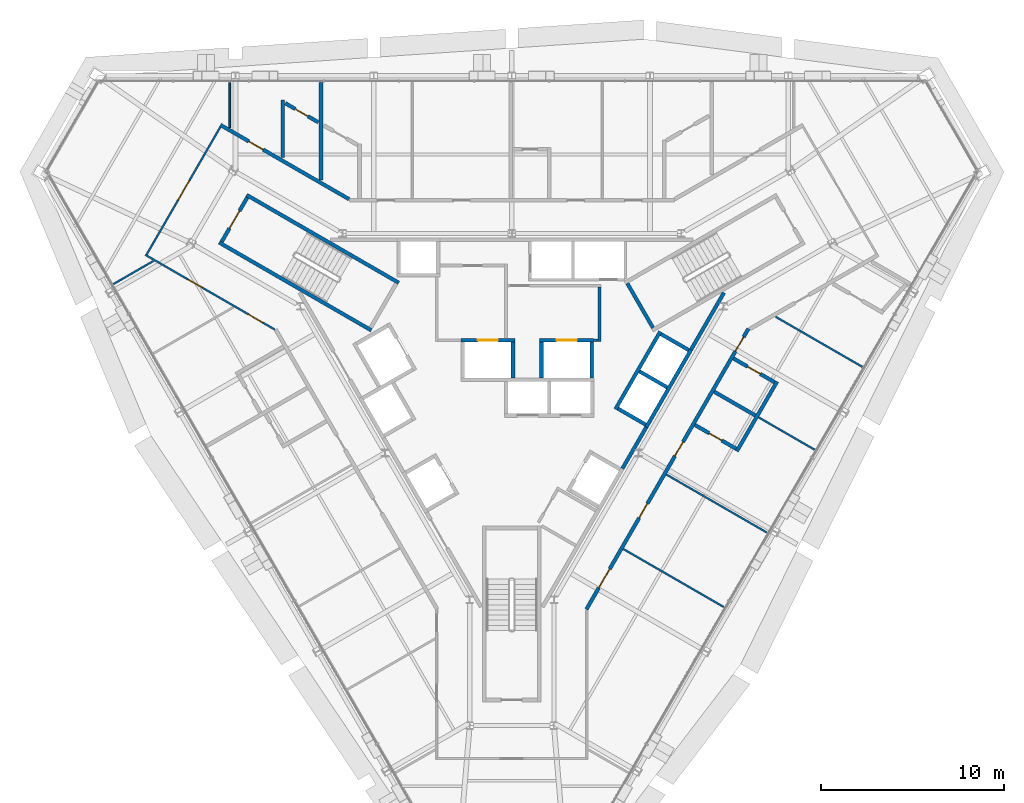
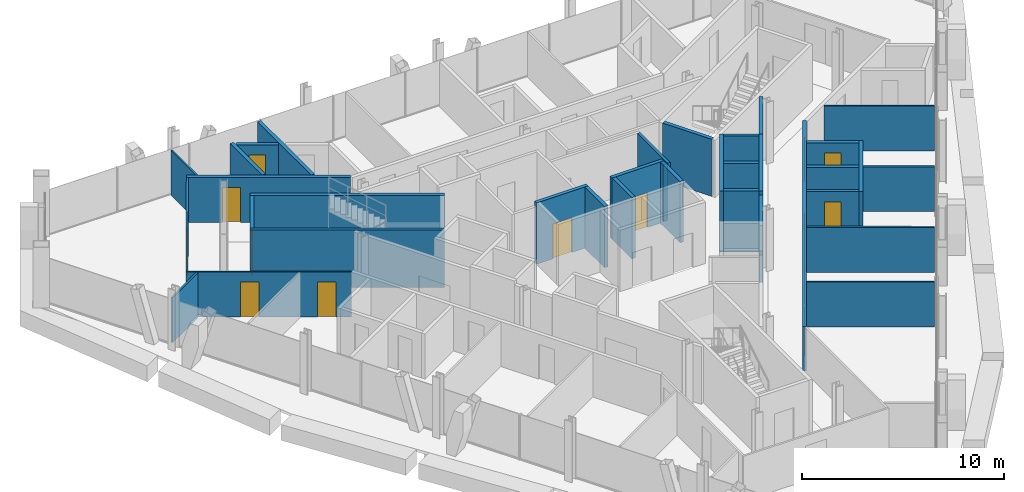
# One storey, part 10 of 13: 35 walls, 14 doors, 14 openings.
"""IFC4 building model written with IfcOpenShell, lengths in metres."""

from ifc_helpers import new_model, si_unit, direction, frame, frame_2d, origin, place, context, subcontext, project, spatial, rectangle, extrude, material, layer, layer_set, type_object, element, fill, save


model = new_model("IFC4")

# Units and contexts
model_context = context("Model", 3, precision=1e-05, world=origin(), true_north=direction((0.0, 1.0)))
body_context = subcontext(model_context, "Body", "Model", "MODEL_VIEW")
ifc_project = project(units=[si_unit("LENGTHUNIT", "METRE"), si_unit("AREAUNIT", "SQUARE_METRE"), si_unit("VOLUMEUNIT", "CUBIC_METRE"), si_unit("PLANEANGLEUNIT", "RADIAN"), si_unit("MASSUNIT", "GRAM", prefix="KILO")], contexts=[model_context])

# Site, building, storey
site_placement = place(None, origin())
site = spatial("IfcSite", under=ifc_project, at=site_placement, CompositionType="ELEMENT")
building_placement = place(site_placement, origin())
building = spatial("IfcBuilding", under=site, at=building_placement, Name="Verrane Prism Tower", CompositionType="ELEMENT")
storey_placement = place(building_placement, frame((0.0, 0.0, 152.5)))
storey = spatial("IfcBuildingStorey", under=building, at=storey_placement, Name="L37", CompositionType="ELEMENT", Elevation=152.5)

# Walls
ifc_material_1 = material(Name="Gypsum board partition", Category="other")
ifc_layer_1 = layer(ifc_material_1, 0.199951171875)
ifc_layer_set_1 = layer_set([ifc_layer_1], Name="CW-200 core boundary wall 2 h")
wall_type_1 = type_object("IfcWallType", Name="CW-200 core boundary wall 2 h", PredefinedType="PARTITIONING", material=ifc_layer_set_1)
wall_1_placement = place(storey_placement, frame((6.0419921875, -4.85498046875, 0.0), z_axis=(0.0, 0.0, 1.0), x_axis=(0.500252727967, 0.865879442048, 0.0)))
element("IfcWall", 1, at=wall_1_placement, inside=storey, type_object=wall_type_1, Name="Core boundary wall CW3-007", PredefinedType="PARTITIONING", context=body_context, shape_type="SweptSolid", body=[
    extrude(rectangle(XDim=2.616943359375, YDim=0.199951171875, at=frame_2d((1.30859375, 0.0))), origin(), (0.0, 0.0, 1.0), 3.449951171875),
])
wall_2_placement = place(storey_placement, frame((9.802978515625, 1.657958984375, 0.0), z_axis=(0.0, 0.0, 1.0), x_axis=(0.499943114462, 0.866058244174, 0.0)))
element("IfcWall", 2, at=wall_2_placement, inside=storey, type_object=wall_type_1, Name="Core boundary wall CW3-008", PredefinedType="PARTITIONING", context=body_context, shape_type="SweptSolid", body=[
    extrude(rectangle(XDim=3.57568359375, YDim=0.199951171875, at=frame_2d((1.787841796875, 0.0))), origin(), (0.0, 0.0, 1.0), 3.449951171875),
])
ifc_material_2 = material(Name="Concrete C40/50", Category="concrete")
ifc_layer_2 = layer(ifc_material_2, 0.199951171875)
ifc_layer_set_2 = layer_set([ifc_layer_2], Name="CW-200 stair core wall concrete C40/50 3 h")
wall_type_2 = type_object("IfcWallType", Name="CW-200 stair core wall concrete C40/50 3 h", PredefinedType="PARTITIONING", material=ifc_layer_set_2)
wall_3_placement = place(storey_placement, frame((7.71484375, 2.837646484375, 0.0), z_axis=(0.0, 0.0, 1.0), x_axis=(-0.500049511043, 0.865996816683, 0.0)))
element("IfcWall", 3, at=wall_3_placement, inside=storey, type_object=wall_type_2, Name="Stair 1 enclosure wall", PredefinedType="PARTITIONING", context=body_context, shape_type="SweptSolid", body=[
    extrude(rectangle(XDim=2.800048828125, YDim=0.199951171875, at=frame_2d((1.39990234375, 0.0))), origin(), (0.0, 0.0, 1.0), 3.449951171875),
])

# Wall, opening, door
wall_4_placement = place(storey_placement, frame((-14.455322265625, 9.96240234375, 0.0), z_axis=(0.0, 0.0, 1.0), x_axis=(-0.500049511043, -0.865996816683, 0.0)))
wall_4 = element("IfcWall", 4, at=wall_4_placement, inside=storey, type_object=wall_type_2, Name="Stair 2 enclosure wall", PredefinedType="PARTITIONING", context=body_context, shape_type="SweptSolid", body=[
    extrude(rectangle(XDim=2.800048828125, YDim=0.199951171875, at=frame_2d((1.39990234375, 0.0))), origin(), (0.0, 0.0, 1.0), 3.449951171875),
])
opening_1_placement = place(wall_4_placement, frame((0.849853515625, 0.0, 0.0)))
opening_1 = element("IfcOpeningElement", 5, at=opening_1_placement, cuts=wall_4, Name="Opening D36501", PredefinedType="OPENING", context=body_context, shape_type="SweptSolid", body=[
    extrude(rectangle(XDim=1.10009765625, YDim=2.10009765625, at=frame_2d((0.550048828125, 1.050048828125))), frame((0.0, 0.10986328125, 0.0), z_axis=(0.0, -1.0, 0.0), x_axis=(1.0, 0.0, 0.0)), (0.0, 0.0, 1.0), 0.219970703125),
])
ifc_material_3 = material(Name="Timber veneered door leaf", Category="wood")
door_type_1 = type_object("IfcDoorType", Name="DR-1100x2100 FD90 single leaf stair", OperationType="NOTDEFINED", PredefinedType="DOOR", material=ifc_material_3)
door_1_placement = place(opening_1_placement, origin())
door_1 = element("IfcDoor", 6, at=door_1_placement, inside=storey, type_object=door_type_1, Name="Stair 2 door", OperationType="SINGLE_SWING_RIGHT", OverallHeight=2.10009765625, OverallWidth=1.10009765625, PredefinedType="DOOR", context=body_context, shape_type="SweptSolid", body=[
    extrude(rectangle(XDim=1.10009765625, YDim=2.10009765625, at=frame_2d((0.550048828125, 1.050048828125))), frame((0.0, 0.02490234375, 0.0), z_axis=(0.0, -1.0, 0.0), x_axis=(1.0, 0.0, 0.0)), (0.0, 0.0, 1.0), 0.050048828125),
])
fill(opening_1, door_1)

# Walls
for number, where, z_axis, x_axis, name in (
    (7, (-7.67822265625, 2.700927734375, 0.0), (0.0, 0.0, 1.0), (-0.866019993635, 0.500009370536, 0.0), "Stair 2 enclosure wall"),
    (8, (-6.17822265625, 5.299072265625, 0.0), (0.0, 0.0, 1.0), (-0.866019993635, 0.500009370536, 0.0), "Stair 2 enclosure wall"),
):
    element("IfcWall", number, at=place(storey_placement, frame(where, z_axis=z_axis, x_axis=x_axis)), inside=storey, type_object=wall_type_2, Name=name, PredefinedType="PARTITIONING", context=body_context, shape_type="SweptSolid", body=[
        extrude(rectangle(XDim=9.599853515625, YDim=0.199951171875, at=frame_2d((4.7998046875, 0.0))), origin(), (0.0, 0.0, 1.0), 3.449951171875),
    ])

# Wall, opening, door
ifc_material_4 = material(Name="Gypsum board shaft wall assembly", Category="other")
ifc_layer_3 = layer(ifc_material_4, 0.199951171875)
ifc_layer_set_3 = layer_set([ifc_layer_3], Name="HW-200 lift shaft wall 2 h")
wall_type_3 = type_object("IfcWallType", Name="HW-200 lift shaft wall 2 h", PredefinedType="PARTITIONING", material=ifc_layer_set_3)
wall_5_placement = place(storey_placement, frame((-2.784912109375, 2.14990234375, 0.0), z_axis=(0.0, 0.0, 1.0), x_axis=(1.0, 0.0, 0.0)))
wall_5 = element("IfcWall", 9, at=wall_5_placement, inside=storey, type_object=wall_type_3, Name="Lift shaft wall", PredefinedType="PARTITIONING", context=body_context, shape_type="SweptSolid", body=[
    extrude(rectangle(XDim=2.949951171875, YDim=0.199951171875, at=frame_2d((1.47509765625, 0.0))), origin(), (0.0, 0.0, 1.0), 3.699951171875),
])
opening_2_placement = place(wall_5_placement, frame((0.925048828125, 0.0, 0.0)))
opening_2 = element("IfcOpeningElement", 10, at=opening_2_placement, cuts=wall_5, Name="Opening D36507", PredefinedType="OPENING", context=body_context, shape_type="SweptSolid", body=[
    extrude(rectangle(XDim=1.10009765625, YDim=2.10009765625, at=frame_2d((0.550048828125, 1.050048828125))), frame((0.0, 0.10986328125, 0.0), z_axis=(0.0, -1.0, 0.0), x_axis=(1.0, 0.0, 0.0)), (0.0, 0.0, 1.0), 0.219970703125),
])
ifc_material_5 = material(Name="Stainless steel sliding landing door", Category="steel")
door_type_2 = type_object("IfcDoorType", Name="LD-1100x2100 lift landing door FD90 sliding", OperationType="NOTDEFINED", PredefinedType="DOOR", material=ifc_material_5)
door_2_placement = place(opening_2_placement, origin())
door_2 = element("IfcDoor", 11, at=door_2_placement, inside=storey, type_object=door_type_2, Name="Fire service lift 1 landing door", OperationType="SLIDING_TO_LEFT", OverallHeight=2.10009765625, OverallWidth=1.10009765625, PredefinedType="DOOR", context=body_context, shape_type="SweptSolid", body=[
    extrude(rectangle(XDim=1.10009765625, YDim=2.10009765625, at=frame_2d((0.550048828125, 1.050048828125))), frame((0.0, 0.02490234375, 0.0), z_axis=(0.0, -1.0, 0.0), x_axis=(1.0, 0.0, 0.0)), (0.0, 0.0, 1.0), 0.050048828125),
])
fill(opening_2, door_2)

wall_6_placement = place(storey_placement, frame((1.52490234375, 2.14990234375, 0.0), z_axis=(0.0, 0.0, 1.0), x_axis=(1.0, 0.0, 0.0)))
wall_6 = element("IfcWall", 12, at=wall_6_placement, inside=storey, type_object=wall_type_3, Name="Lift shaft wall", PredefinedType="PARTITIONING", context=body_context, shape_type="SweptSolid", body=[
    extrude(rectangle(XDim=2.9501953125, YDim=0.199951171875, at=frame_2d((1.47509765625, 0.0))), origin(), (0.0, 0.0, 1.0), 3.699951171875),
])
opening_3_placement = place(wall_6_placement, frame((0.925048828125, 0.0, 0.0)))
opening_3 = element("IfcOpeningElement", 13, at=opening_3_placement, cuts=wall_6, Name="Opening D36508", PredefinedType="OPENING", context=body_context, shape_type="SweptSolid", body=[
    extrude(rectangle(XDim=1.10009765625, YDim=2.10009765625, at=frame_2d((0.550048828125, 1.050048828125))), frame((0.0, 0.10986328125, 0.0), z_axis=(0.0, -1.0, 0.0), x_axis=(1.0, 0.0, 0.0)), (0.0, 0.0, 1.0), 0.219970703125),
])
door_3_placement = place(opening_3_placement, origin())
door_3 = element("IfcDoor", 14, at=door_3_placement, inside=storey, type_object=door_type_2, Name="Fire service lift 2 landing door", OperationType="SLIDING_TO_RIGHT", OverallHeight=2.10009765625, OverallWidth=1.10009765625, PredefinedType="DOOR", context=body_context, shape_type="SweptSolid", body=[
    extrude(rectangle(XDim=1.10009765625, YDim=2.10009765625, at=frame_2d((0.550048828125, 1.050048828125))), frame((0.0, 0.02490234375, 0.0), z_axis=(0.0, -1.0, 0.0), x_axis=(1.0, 0.0, 0.0)), (0.0, 0.0, 1.0), 0.050048828125),
])
fill(opening_3, door_3)

# Walls
wall_7_placement = place(storey_placement, frame((7.351318359375, -2.587158203125, 0.0), z_axis=(0.0, 0.0, 1.0), x_axis=(0.500002801628, 0.866023786258, 0.0)))
element("IfcWall", 15, at=wall_7_placement, inside=storey, type_object=wall_type_3, Name="Lift shaft wall", PredefinedType="PARTITIONING", context=body_context, shape_type="SweptSolid", body=[
    extrude(rectangle(XDim=4.89990234375, YDim=0.199951171875, at=frame_2d((2.449951171875, 0.0))), origin(), (0.0, 0.0, 1.0), 3.699951171875),
])
wall_8_placement = place(storey_placement, frame((5.66259765625, -1.6123046875, 0.0), z_axis=(0.0, 0.0, 1.0), x_axis=(0.49998122708, 0.866036242063, 0.0)))
element("IfcWall", 16, at=wall_8_placement, inside=storey, type_object=wall_type_3, Name="Lift shaft wall", PredefinedType="PARTITIONING", context=body_context, shape_type="SweptSolid", body=[
    extrude(rectangle(XDim=4.900146484375, YDim=0.199951171875, at=frame_2d((2.4501953125, 0.0))), origin(), (0.0, 0.0, 1.0), 3.699951171875),
])
for number, where, z_axis, x_axis, name in (
    (17, (4.375, 0.10009765625, 0.0), (0.0, 0.0, 1.0), (0.0, 1.0, 0.0), "Lift shaft wall"),
    (18, (1.625, 0.10009765625, 0.0), (0.0, 0.0, 1.0), (0.0, 1.0, 0.0), "Lift shaft wall"),
    (19, (0.06494140625, 0.10009765625, 0.0), (0.0, 0.0, 1.0), (0.0, 1.0, 0.0), "Lift shaft wall"),
):
    element("IfcWall", number, at=place(storey_placement, frame(where, z_axis=z_axis, x_axis=x_axis)), inside=storey, type_object=wall_type_3, Name=name, PredefinedType="PARTITIONING", context=body_context, shape_type="SweptSolid", body=[
        extrude(rectangle(XDim=1.949951171875, YDim=0.199951171875, at=frame_2d((0.97509765625, 0.0))), origin(), (0.0, 0.0, 1.0), 3.699951171875),
    ])
wall_9_placement = place(storey_placement, frame((9.66455078125, 1.61962890625, 0.0), z_axis=(0.0, 0.0, 1.0), x_axis=(-0.866002029911, 0.500040482552, 0.0)))
element("IfcWall", 20, at=wall_9_placement, inside=storey, type_object=wall_type_3, Name="Lift shaft wall", PredefinedType="PARTITIONING", context=body_context, shape_type="SweptSolid", body=[
    extrude(rectangle(XDim=1.749755859375, YDim=0.199951171875, at=frame_2d((0.875, 0.0))), origin(), (0.0, 0.0, 1.0), 3.699951171875),
])
for number, where, z_axis, x_axis, name in (
    (21, (8.48974609375, -0.41552734375, 0.0), (0.0, 0.0, 1.0), (-0.866036909293, 0.499980071345, 0.0), "Lift shaft wall"),
    (22, (7.314697265625, -2.45068359375, 0.0), (0.0, 0.0, 1.0), (-0.866036909293, 0.499980071345, 0.0), "Lift shaft wall"),
):
    element("IfcWall", number, at=place(storey_placement, frame(where, z_axis=z_axis, x_axis=x_axis)), inside=storey, type_object=wall_type_3, Name=name, PredefinedType="PARTITIONING", context=body_context, shape_type="SweptSolid", body=[
        extrude(rectangle(XDim=1.75, YDim=0.199951171875, at=frame_2d((0.875, 0.0))), origin(), (0.0, 0.0, 1.0), 3.699951171875),
    ])
ifc_material_6 = material(Name="Gypsum board partition", Category="other")
ifc_layer_4 = layer(ifc_material_6, 0.14990234375)
ifc_layer_set_4 = layer_set([ifc_layer_4], Name="LF-150 firefighting lobby wall 1 h")
wall_type_4 = type_object("IfcWallType", Name="LF-150 firefighting lobby wall 1 h", PredefinedType="PARTITIONING", material=ifc_layer_set_4)
wall_10_placement = place(storey_placement, frame((4.47705078125, 2.159912109375, 0.0), z_axis=(0.0, 0.0, 1.0), x_axis=(1.0, 0.0, 0.0)))
element("IfcWall", 23, at=wall_10_placement, inside=storey, type_object=wall_type_4, Name="Firefighting lobby wall LF1-006", PredefinedType="PARTITIONING", context=body_context, shape_type="SweptSolid", body=[
    extrude(rectangle(XDim=0.238037109375, YDim=0.14990234375, at=frame_2d((0.119140625, 0.0))), origin(), (0.0, 0.0, 1.0), 3.449951171875),
])
wall_11_placement = place(storey_placement, frame((4.7900390625, 2.0849609375, 0.0), z_axis=(0.0, 0.0, 1.0), x_axis=(0.0, 1.0, 0.0)))
element("IfcWall", 24, at=wall_11_placement, inside=storey, type_object=wall_type_4, Name="Firefighting lobby wall LF1-007", PredefinedType="PARTITIONING", context=body_context, shape_type="SweptSolid", body=[
    extrude(rectangle(XDim=2.97998046875, YDim=0.14990234375, at=frame_2d((1.489990234375, 0.0))), origin(), (0.0, 0.0, 1.0), 3.449951171875),
])
ifc_material_7 = material(Name="Gypsum board partition", Category="other")
ifc_layer_5 = layer(ifc_material_7, 0.10009765625)
ifc_layer_set_5 = layer_set([ifc_layer_5], Name="PW-100 room partition")
wall_type_5 = type_object("IfcWallType", Name="PW-100 room partition", PredefinedType="PARTITIONING", material=ifc_layer_set_5)
wall_12_placement = place(storey_placement, frame((-21.7666015625, 5.22998046875, 0.0), z_axis=(0.0, 0.0, 1.0), x_axis=(0.865868809172, 0.50027113179, 0.0)))
element("IfcWall", 25, at=wall_12_placement, inside=storey, type_object=wall_type_5, Name="Room partition 001", PredefinedType="PARTITIONING", context=body_context, shape_type="SweptSolid", body=[
    extrude(rectangle(XDim=2.51611328125, YDim=0.10009765625, at=frame_2d((1.258056640625, 0.0))), origin(), (0.0, 0.0, 1.0), 2.712890625),
])

# Wall, opening, door
wall_13_placement = place(storey_placement, frame((-19.955078125, 6.84423828125, 0.0), z_axis=(0.0, 0.0, 1.0), x_axis=(0.500422653123, 0.865781247337, 0.0)))
wall_13 = element("IfcWall", 26, at=wall_13_placement, inside=storey, type_object=wall_type_5, Name="Room partition 002", PredefinedType="PARTITIONING", context=body_context, shape_type="SweptSolid", body=[
    extrude(rectangle(XDim=8.04736328125, YDim=0.10009765625, at=frame_2d((4.023681640625, 0.0))), origin(), (0.0, 0.0, 1.0), 2.712890625),
])
opening_4_placement = place(wall_13_placement, frame((3.449951171875, 0.0, 0.0)))
opening_4 = element("IfcOpeningElement", 27, at=opening_4_placement, cuts=wall_13, Name="Opening D36020", PredefinedType="OPENING", context=body_context, shape_type="SweptSolid", body=[
    extrude(rectangle(XDim=1.199951171875, YDim=2.10009765625, at=frame_2d((0.60009765625, 1.050048828125))), frame((0.0, 0.06005859375, 0.0), z_axis=(0.0, -1.0, 0.0), x_axis=(1.0, 0.0, 0.0)), (0.0, 0.0, 1.0), 0.1201171875),
])
ifc_material_8 = material(Name="Timber veneered door leaf", Category="wood")
door_type_3 = type_object("IfcDoorType", Name="DR-1200x2100 single leaf unit", OperationType="NOTDEFINED", PredefinedType="DOOR", material=ifc_material_8)
door_4_placement = place(opening_4_placement, origin())
door_4 = element("IfcDoor", 28, at=door_4_placement, inside=storey, type_object=door_type_3, Name="Living And Dining Room door", OperationType="SINGLE_SWING_RIGHT", OverallHeight=2.10009765625, OverallWidth=1.199951171875, PredefinedType="DOOR", context=body_context, shape_type="SweptSolid", body=[
    extrude(rectangle(XDim=1.199951171875, YDim=2.10009765625, at=frame_2d((0.60009765625, 1.050048828125))), frame((0.0, 0.02490234375, 0.0), z_axis=(0.0, -1.0, 0.0), x_axis=(1.0, 0.0, 0.0)), (0.0, 0.0, 1.0), 0.050048828125),
])
fill(opening_4, door_4)

# Wall, openings, doors
wall_14_placement = place(storey_placement, frame((-12.95166015625, 2.744384765625, 0.0), z_axis=(0.0, 0.0, 1.0), x_axis=(-0.86608949446, 0.499888975259, 0.0)))
wall_14 = element("IfcWall", 29, at=wall_14_placement, inside=storey, type_object=wall_type_5, Name="Room partition 003", PredefinedType="PARTITIONING", context=body_context, shape_type="SweptSolid", body=[
    extrude(rectangle(XDim=8.164794921875, YDim=0.10009765625, at=frame_2d((4.08251953125, 0.0))), origin(), (0.0, 0.0, 1.0), 2.712890625),
])
opening_5_placement = place(wall_14_placement, frame((4.575927734375, 0.0, 0.0)))
opening_5 = element("IfcOpeningElement", 30, at=opening_5_placement, cuts=wall_14, Name="Opening D36021", PredefinedType="OPENING", context=body_context, shape_type="SweptSolid", body=[
    extrude(rectangle(XDim=0.89990234375, YDim=2.10009765625, at=frame_2d((0.449951171875, 1.050048828125))), frame((0.0, 0.06005859375, 0.0), z_axis=(0.0, -1.0, 0.0), x_axis=(1.0, 0.0, 0.0)), (0.0, 0.0, 1.0), 0.1201171875),
])
opening_6_placement = place(wall_14_placement, frame((0.77197265625, 0.0, 0.0)))
opening_6 = element("IfcOpeningElement", 31, at=opening_6_placement, cuts=wall_14, Name="Opening D36022", PredefinedType="OPENING", context=body_context, shape_type="SweptSolid", body=[
    extrude(rectangle(XDim=0.89990234375, YDim=2.10009765625, at=frame_2d((0.449951171875, 1.050048828125))), frame((0.0, 0.06005859375, 0.0), z_axis=(0.0, -1.0, 0.0), x_axis=(1.0, 0.0, 0.0)), (0.0, 0.0, 1.0), 0.1201171875),
])
ifc_material_9 = material(Name="Timber veneered door leaf", Category="wood")
door_type_4 = type_object("IfcDoorType", Name="DR-900x2100 single leaf inner", OperationType="NOTDEFINED", PredefinedType="DOOR", material=ifc_material_9)
door_5_placement = place(opening_6_placement, origin())
door_5 = element("IfcDoor", 32, at=door_5_placement, inside=storey, type_object=door_type_4, Name="Master Bedroom door", OperationType="SINGLE_SWING_LEFT", OverallHeight=2.10009765625, OverallWidth=0.89990234375, PredefinedType="DOOR", context=body_context, shape_type="SweptSolid", body=[
    extrude(rectangle(XDim=0.89990234375, YDim=2.10009765625, at=frame_2d((0.449951171875, 1.050048828125))), frame((0.0, 0.02490234375, 0.0), z_axis=(0.0, -1.0, 0.0), x_axis=(1.0, 0.0, 0.0)), (0.0, 0.0, 1.0), 0.050048828125),
])
fill(opening_6, door_5)
ifc_material_10 = material(Name="Timber veneered door leaf", Category="wood")
door_type_5 = type_object("IfcDoorType", Name="DR-900x2100 single leaf unit", OperationType="NOTDEFINED", PredefinedType="DOOR", material=ifc_material_10)
door_6_placement = place(opening_5_placement, origin())
door_6 = element("IfcDoor", 33, at=door_6_placement, inside=storey, type_object=door_type_5, Name="Kitchen door", OperationType="SINGLE_SWING_RIGHT", OverallHeight=2.10009765625, OverallWidth=0.89990234375, PredefinedType="DOOR", context=body_context, shape_type="SweptSolid", body=[
    extrude(rectangle(XDim=0.89990234375, YDim=2.10009765625, at=frame_2d((0.449951171875, 1.050048828125))), frame((0.0, 0.02490234375, 0.0), z_axis=(0.0, -1.0, 0.0), x_axis=(1.0, 0.0, 0.0)), (0.0, 0.0, 1.0), 0.050048828125),
])
fill(opening_5, door_6)

# Walls
wall_15_placement = place(storey_placement, frame((-15.4130859375, 13.7744140625, 0.0), z_axis=(0.0, 0.0, 1.0), x_axis=(0.0, 1.0, 0.0)))
element("IfcWall", 34, at=wall_15_placement, inside=storey, type_object=wall_type_5, Name="Room partition 007", PredefinedType="PARTITIONING", context=body_context, shape_type="SweptSolid", body=[
    extrude(rectangle(XDim=2.460693359375, YDim=0.10009765625, at=frame_2d((1.23046875, 0.0))), origin(), (0.0, 0.0, 1.0), 2.712890625),
])
for number, where, z_axis, x_axis, name in (
    (35, (6.093505859375, -9.2490234375, 0.0), (0.0, 0.0, 1.0), (0.866030886774, -0.499990503064, 0.0), "Room partition 033"),
    (36, (8.444580078125, -5.177001953125, 0.0), (0.0, 0.0, 1.0), (0.866004557827, -0.500036104519, 0.0), "Room partition 036"),
):
    element("IfcWall", number, at=place(storey_placement, frame(where, z_axis=z_axis, x_axis=x_axis)), inside=storey, type_object=wall_type_5, Name=name, PredefinedType="PARTITIONING", context=body_context, shape_type="SweptSolid", body=[
        extrude(rectangle(XDim=6.33349609375, YDim=0.10009765625, at=frame_2d((3.166748046875, 0.0))), origin(), (0.0, 0.0, 1.0), 2.712890625),
    ])
wall_16_placement = place(storey_placement, frame((13.481689453125, -2.052001953125, 0.0), z_axis=(0.0, 0.0, 1.0), x_axis=(0.865998048674, -0.500047377448, 0.0)))
element("IfcWall", 37, at=wall_16_placement, inside=storey, type_object=wall_type_5, Name="Room partition 044", PredefinedType="PARTITIONING", context=body_context, shape_type="SweptSolid", body=[
    extrude(rectangle(XDim=3.533935546875, YDim=0.10009765625, at=frame_2d((1.76708984375, 0.0))), origin(), (0.0, 0.0, 1.0), 2.712890625),
])
wall_17_placement = place(storey_placement, frame((14.412109375, 3.44384765625, 0.0), z_axis=(0.0, 0.0, 1.0), x_axis=(0.866045268016, -0.499965592563, 0.0)))
element("IfcWall", 38, at=wall_17_placement, inside=storey, type_object=wall_type_5, Name="Room partition 045", PredefinedType="PARTITIONING", context=body_context, shape_type="SweptSolid", body=[
    extrude(rectangle(XDim=5.47607421875, YDim=0.10009765625, at=frame_2d((2.738037109375, 0.0))), origin(), (0.0, 0.0, 1.0), 2.712890625),
])

# Wall, opening, door
ifc_material_11 = material(Name="Gypsum board partition", Category="other")
ifc_layer_6 = layer(ifc_material_11, 0.199951171875)
ifc_layer_set_6 = layer_set([ifc_layer_6], Name="PW-200 plumbing wall")
wall_type_6 = type_object("IfcWallType", Name="PW-200 plumbing wall", PredefinedType="PARTITIONING", material=ifc_layer_set_6)
wall_18_placement = place(storey_placement, frame((-15.92138671875, 13.923095703125, 0.0), z_axis=(0.0, 0.0, 1.0), x_axis=(0.866079355551, -0.499906541154, 0.0)))
wall_18 = element("IfcWall", 39, at=wall_18_placement, inside=storey, type_object=wall_type_6, Name="Plumbing wall 006", PredefinedType="PARTITIONING", context=body_context, shape_type="SweptSolid", body=[
    extrude(rectangle(XDim=8.11279296875, YDim=0.199951171875, at=frame_2d((4.056396484375, 0.0))), origin(), (0.0, 0.0, 1.0), 2.712890625),
])
opening_7_placement = place(wall_18_placement, frame((1.787109375, 0.0, 0.0)))
opening_7 = element("IfcOpeningElement", 40, at=opening_7_placement, cuts=wall_18, Name="Opening D36018", PredefinedType="OPENING", context=body_context, shape_type="SweptSolid", body=[
    extrude(rectangle(XDim=0.89990234375, YDim=2.10009765625, at=frame_2d((0.449951171875, 1.050048828125))), frame((0.0, 0.10986328125, 0.0), z_axis=(0.0, -1.0, 0.0), x_axis=(1.0, 0.0, 0.0)), (0.0, 0.0, 1.0), 0.219970703125),
])
door_7_placement = place(opening_7_placement, origin())
door_7 = element("IfcDoor", 41, at=door_7_placement, inside=storey, type_object=door_type_4, Name="Bedroom door", OperationType="SINGLE_SWING_RIGHT", OverallHeight=2.10009765625, OverallWidth=0.89990234375, PredefinedType="DOOR", context=body_context, shape_type="SweptSolid", body=[
    extrude(rectangle(XDim=0.89990234375, YDim=2.10009765625, at=frame_2d((0.449951171875, 1.050048828125))), frame((0.0, 0.02490234375, 0.0), z_axis=(0.0, -1.0, 0.0), x_axis=(1.0, 0.0, 0.0)), (0.0, 0.0, 1.0), 0.050048828125),
])
fill(opening_7, door_7)

# Wall
wall_19_placement = place(storey_placement, frame((-12.52490234375, 12.13623046875, 0.0), z_axis=(0.0, 0.0, 1.0), x_axis=(0.0, 1.0, 0.0)))
element("IfcWall", 42, at=wall_19_placement, inside=storey, type_object=wall_type_6, Name="Plumbing wall 013", PredefinedType="PARTITIONING", context=body_context, shape_type="SweptSolid", body=[
    extrude(rectangle(XDim=3.15966796875, YDim=0.199951171875, at=frame_2d((1.579833984375, 0.0))), origin(), (0.0, 0.0, 1.0), 2.712890625),
])

# Wall, opening, door
wall_20_placement = place(storey_placement, frame((-10.574951171875, 14.070556640625, 0.0), z_axis=(0.0, 0.0, 1.0), x_axis=(-0.866084027935, 0.499898446243, 0.0)))
wall_20 = element("IfcWall", 43, at=wall_20_placement, inside=storey, type_object=wall_type_6, Name="Plumbing wall 014", PredefinedType="PARTITIONING", context=body_context, shape_type="SweptSolid", body=[
    extrude(rectangle(XDim=2.08154296875, YDim=0.199951171875, at=frame_2d((1.040771484375, 0.0))), origin(), (0.0, 0.0, 1.0), 2.712890625),
])
opening_8_placement = place(wall_20_placement, frame((0.6513671875, 0.0, 0.0)))
opening_8 = element("IfcOpeningElement", 44, at=opening_8_placement, cuts=wall_20, Name="Opening D36019", PredefinedType="OPENING", context=body_context, shape_type="SweptSolid", body=[
    extrude(rectangle(XDim=0.800048828125, YDim=2.10009765625, at=frame_2d((0.39990234375, 1.050048828125))), frame((0.0, 0.10986328125, 0.0), z_axis=(0.0, -1.0, 0.0), x_axis=(1.0, 0.0, 0.0)), (0.0, 0.0, 1.0), 0.219970703125),
])
ifc_material_12 = material(Name="Timber veneered door leaf", Category="wood")
door_type_6 = type_object("IfcDoorType", Name="DR-800x2100 single leaf bath", OperationType="NOTDEFINED", PredefinedType="DOOR", material=ifc_material_12)
door_8_placement = place(opening_8_placement, origin())
door_8 = element("IfcDoor", 45, at=door_8_placement, inside=storey, type_object=door_type_6, Name="Bathroom door", OperationType="SINGLE_SWING_RIGHT", OverallHeight=2.10009765625, OverallWidth=0.800048828125, PredefinedType="DOOR", context=body_context, shape_type="SweptSolid", body=[
    extrude(rectangle(XDim=0.800048828125, YDim=2.10009765625, at=frame_2d((0.39990234375, 1.050048828125))), frame((0.0, 0.02490234375, 0.0), z_axis=(0.0, -1.0, 0.0), x_axis=(1.0, 0.0, 0.0)), (0.0, 0.0, 1.0), 0.050048828125),
])
fill(opening_8, door_8)

# Wall
wall_21_placement = place(storey_placement, frame((-10.425048828125, 10.924072265625, 0.0), z_axis=(0.0, 0.0, 1.0), x_axis=(0.0, 1.0, 0.0)))
element("IfcWall", 46, at=wall_21_placement, inside=storey, type_object=wall_type_6, Name="Plumbing wall 017", PredefinedType="PARTITIONING", context=body_context, shape_type="SweptSolid", body=[
    extrude(rectangle(XDim=5.31103515625, YDim=0.199951171875, at=frame_2d((2.655517578125, 0.0))), origin(), (0.0, 0.0, 1.0), 2.712890625),
])

# Wall, openings, doors
wall_22_placement = place(storey_placement, frame((12.927978515625, 2.78857421875, 0.0), z_axis=(0.0, 0.0, 1.0), x_axis=(-0.499997769292, -0.86602669168, 0.0)))
wall_22 = element("IfcWall", 47, at=wall_22_placement, inside=storey, type_object=wall_type_6, Name="Plumbing wall 031", PredefinedType="PARTITIONING", context=body_context, shape_type="SweptSolid", body=[
    extrude(rectangle(XDim=17.7060546875, YDim=0.199951171875, at=frame_2d((8.85302734375, 0.0))), origin(), (0.0, 0.0, 1.0), 2.712890625),
])
opening_9_placement = place(wall_22_placement, frame((15.156005859375, 0.0, 0.0)))
opening_9 = element("IfcOpeningElement", 48, at=opening_9_placement, cuts=wall_22, Name="Opening D36001", PredefinedType="OPENING", context=body_context, shape_type="SweptSolid", body=[
    extrude(rectangle(XDim=1.199951171875, YDim=2.10009765625, at=frame_2d((0.60009765625, 1.050048828125))), frame((0.0, 0.10986328125, 0.0), z_axis=(0.0, -1.0, 0.0), x_axis=(1.0, 0.0, 0.0)), (0.0, 0.0, 1.0), 0.219970703125),
])
opening_10_placement = place(wall_22_placement, frame((11.0419921875, 0.0, 0.0)))
opening_10 = element("IfcOpeningElement", 49, at=opening_10_placement, cuts=wall_22, Name="Opening D36002", PredefinedType="OPENING", context=body_context, shape_type="SweptSolid", body=[
    extrude(rectangle(XDim=0.89990234375, YDim=2.10009765625, at=frame_2d((0.449951171875, 1.050048828125))), frame((0.0, 0.10986328125, 0.0), z_axis=(0.0, -1.0, 0.0), x_axis=(1.0, 0.0, 0.0)), (0.0, 0.0, 1.0), 0.219970703125),
])
opening_11_placement = place(wall_22_placement, frame((7.14013671875, 0.0, 0.0)))
opening_11 = element("IfcOpeningElement", 50, at=opening_11_placement, cuts=wall_22, Name="Opening D36003", PredefinedType="OPENING", context=body_context, shape_type="SweptSolid", body=[
    extrude(rectangle(XDim=0.89990234375, YDim=2.10009765625, at=frame_2d((0.449951171875, 1.050048828125))), frame((0.0, 0.10986328125, 0.0), z_axis=(0.0, -1.0, 0.0), x_axis=(1.0, 0.0, 0.0)), (0.0, 0.0, 1.0), 0.219970703125),
])
opening_12_placement = place(wall_22_placement, frame((0.51513671875, 0.0, 0.0)))
opening_12 = element("IfcOpeningElement", 51, at=opening_12_placement, cuts=wall_22, Name="Opening D36005", PredefinedType="OPENING", context=body_context, shape_type="SweptSolid", body=[
    extrude(rectangle(XDim=0.89990234375, YDim=2.10009765625, at=frame_2d((0.449951171875, 1.050048828125))), frame((0.0, 0.10986328125, 0.0), z_axis=(0.0, -1.0, 0.0), x_axis=(1.0, 0.0, 0.0)), (0.0, 0.0, 1.0), 0.219970703125),
])
door_9_placement = place(opening_9_placement, origin())
door_9 = element("IfcDoor", 52, at=door_9_placement, inside=storey, type_object=door_type_3, Name="Living And Dining Room door", OperationType="SINGLE_SWING_RIGHT", OverallHeight=2.10009765625, OverallWidth=1.199951171875, PredefinedType="DOOR", context=body_context, shape_type="SweptSolid", body=[
    extrude(rectangle(XDim=1.199951171875, YDim=2.10009765625, at=frame_2d((0.60009765625, 1.050048828125))), frame((0.0, 0.02490234375, 0.0), z_axis=(0.0, -1.0, 0.0), x_axis=(1.0, 0.0, 0.0)), (0.0, 0.0, 1.0), 0.050048828125),
])
fill(opening_9, door_9)
door_10_placement = place(opening_11_placement, origin())
door_10 = element("IfcDoor", 53, at=door_10_placement, inside=storey, type_object=door_type_4, Name="Bedroom door", OperationType="SINGLE_SWING_RIGHT", OverallHeight=2.10009765625, OverallWidth=0.89990234375, PredefinedType="DOOR", context=body_context, shape_type="SweptSolid", body=[
    extrude(rectangle(XDim=0.89990234375, YDim=2.10009765625, at=frame_2d((0.449951171875, 1.050048828125))), frame((0.0, 0.02490234375, 0.0), z_axis=(0.0, -1.0, 0.0), x_axis=(1.0, 0.0, 0.0)), (0.0, 0.0, 1.0), 0.050048828125),
])
fill(opening_11, door_10)
door_11_placement = place(opening_12_placement, origin())
door_11 = element("IfcDoor", 54, at=door_11_placement, inside=storey, type_object=door_type_4, Name="Bedroom door", OperationType="SINGLE_SWING_RIGHT", OverallHeight=2.10009765625, OverallWidth=0.89990234375, PredefinedType="DOOR", context=body_context, shape_type="SweptSolid", body=[
    extrude(rectangle(XDim=0.89990234375, YDim=2.10009765625, at=frame_2d((0.449951171875, 1.050048828125))), frame((0.0, 0.02490234375, 0.0), z_axis=(0.0, -1.0, 0.0), x_axis=(1.0, 0.0, 0.0)), (0.0, 0.0, 1.0), 0.050048828125),
])
fill(opening_12, door_11)
door_12_placement = place(opening_10_placement, origin())
door_12 = element("IfcDoor", 55, at=door_12_placement, inside=storey, type_object=door_type_5, Name="Kitchen door", OperationType="SINGLE_SWING_LEFT", OverallHeight=2.10009765625, OverallWidth=0.89990234375, PredefinedType="DOOR", context=body_context, shape_type="SweptSolid", body=[
    extrude(rectangle(XDim=0.89990234375, YDim=2.10009765625, at=frame_2d((0.449951171875, 1.050048828125))), frame((0.0, 0.02490234375, 0.0), z_axis=(0.0, -1.0, 0.0), x_axis=(1.0, 0.0, 0.0)), (0.0, 0.0, 1.0), 0.050048828125),
])
fill(opening_10, door_12)

# Wall, opening, door
wall_23_placement = place(storey_placement, frame((10.010986328125, -2.473388671875, 0.0), z_axis=(0.0, 0.0, 1.0), x_axis=(0.866005410122, -0.500034628441, 0.0)))
wall_23 = element("IfcWall", 56, at=wall_23_placement, inside=storey, type_object=wall_type_6, Name="Plumbing wall 038", PredefinedType="PARTITIONING", context=body_context, shape_type="SweptSolid", body=[
    extrude(rectangle(XDim=2.594970703125, YDim=0.199951171875, at=frame_2d((1.29736328125, 0.0))), origin(), (0.0, 0.0, 1.0), 2.712890625),
])
opening_13_placement = place(wall_23_placement, frame((0.89501953125, 0.0, 0.0)))
opening_13 = element("IfcOpeningElement", 57, at=opening_13_placement, cuts=wall_23, Name="Opening D36004", PredefinedType="OPENING", context=body_context, shape_type="SweptSolid", body=[
    extrude(rectangle(XDim=0.800048828125, YDim=2.10009765625, at=frame_2d((0.39990234375, 1.050048828125))), frame((0.0, 0.10986328125, 0.0), z_axis=(0.0, -1.0, 0.0), x_axis=(1.0, 0.0, 0.0)), (0.0, 0.0, 1.0), 0.219970703125),
])
door_13_placement = place(opening_13_placement, origin())
door_13 = element("IfcDoor", 58, at=door_13_placement, inside=storey, type_object=door_type_6, Name="Bathroom door", OperationType="SINGLE_SWING_RIGHT", OverallHeight=2.10009765625, OverallWidth=0.800048828125, PredefinedType="DOOR", context=body_context, shape_type="SweptSolid", body=[
    extrude(rectangle(XDim=0.800048828125, YDim=2.10009765625, at=frame_2d((0.39990234375, 1.050048828125))), frame((0.0, 0.02490234375, 0.0), z_axis=(0.0, -1.0, 0.0), x_axis=(1.0, 0.0, 0.0)), (0.0, 0.0, 1.0), 0.050048828125),
])
fill(opening_13, door_13)

# Wall
wall_24_placement = place(storey_placement, frame((11.06103515625, -0.654541015625, 0.0), z_axis=(0.0, 0.0, 1.0), x_axis=(0.866046148833, -0.4999640668, 0.0)))
element("IfcWall", 59, at=wall_24_placement, inside=storey, type_object=wall_type_6, Name="Plumbing wall 040", PredefinedType="PARTITIONING", context=body_context, shape_type="SweptSolid", body=[
    extrude(rectangle(XDim=2.594970703125, YDim=0.199951171875, at=frame_2d((1.29736328125, 0.0))), origin(), (0.0, 0.0, 1.0), 2.712890625),
])

# Wall, opening, door
wall_25_placement = place(storey_placement, frame((14.3583984375, -0.133056640625, 0.0), z_axis=(0.0, 0.0, 1.0), x_axis=(-0.866028930478, 0.499993891537, 0.0)))
wall_25 = element("IfcWall", 60, at=wall_25_placement, inside=storey, type_object=wall_type_6, Name="Plumbing wall 041", PredefinedType="PARTITIONING", context=body_context, shape_type="SweptSolid", body=[
    extrude(rectangle(XDim=2.59521484375, YDim=0.199951171875, at=frame_2d((1.297607421875, 0.0))), origin(), (0.0, 0.0, 1.0), 2.712890625),
])
opening_14_placement = place(wall_25_placement, frame((0.900146484375, 0.0, 0.0)))
opening_14 = element("IfcOpeningElement", 61, at=opening_14_placement, cuts=wall_25, Name="Opening D36006", PredefinedType="OPENING", context=body_context, shape_type="SweptSolid", body=[
    extrude(rectangle(XDim=0.800048828125, YDim=2.10009765625, at=frame_2d((0.39990234375, 1.050048828125))), frame((0.0, 0.10986328125, 0.0), z_axis=(0.0, -1.0, 0.0), x_axis=(1.0, 0.0, 0.0)), (0.0, 0.0, 1.0), 0.219970703125),
])
door_14_placement = place(opening_14_placement, origin())
door_14 = element("IfcDoor", 62, at=door_14_placement, inside=storey, type_object=door_type_6, Name="Bathroom door", OperationType="SINGLE_SWING_LEFT", OverallHeight=2.10009765625, OverallWidth=0.800048828125, PredefinedType="DOOR", context=body_context, shape_type="SweptSolid", body=[
    extrude(rectangle(XDim=0.800048828125, YDim=2.10009765625, at=frame_2d((0.39990234375, 1.050048828125))), frame((0.0, 0.02490234375, 0.0), z_axis=(0.0, -1.0, 0.0), x_axis=(1.0, 0.0, 0.0)), (0.0, 0.0, 1.0), 0.050048828125),
])
fill(opening_14, door_14)

# Wall
wall_26_placement = place(storey_placement, frame((12.294921875, -3.90771484375, 0.0), z_axis=(0.0, 0.0, 1.0), x_axis=(0.499916153699, 0.866073807057, 0.0)))
element("IfcWall", 63, at=wall_26_placement, inside=storey, type_object=wall_type_6, Name="Plumbing wall 042", PredefinedType="PARTITIONING", context=body_context, shape_type="SweptSolid", body=[
    extrude(rectangle(XDim=4.400634765625, YDim=0.199951171875, at=frame_2d((2.2001953125, 0.0))), origin(), (0.0, 0.0, 1.0), 2.712890625),
])

save(model, "model.ifc")
